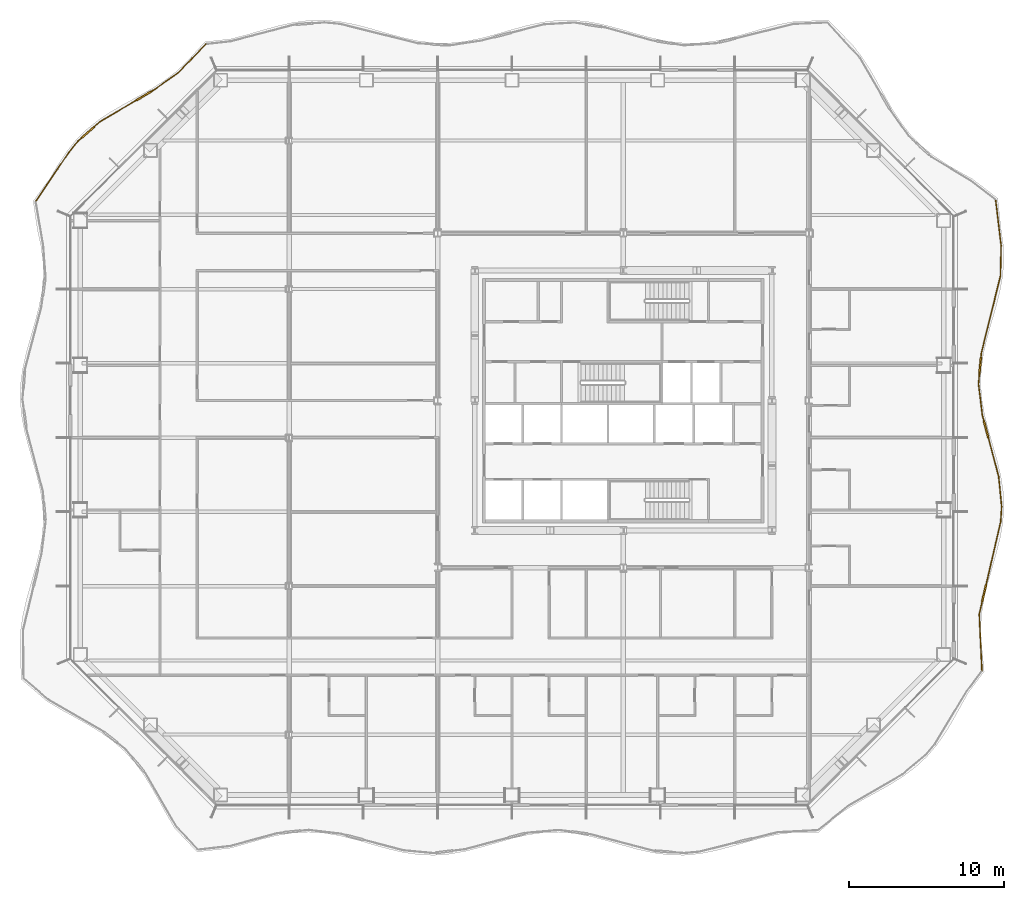
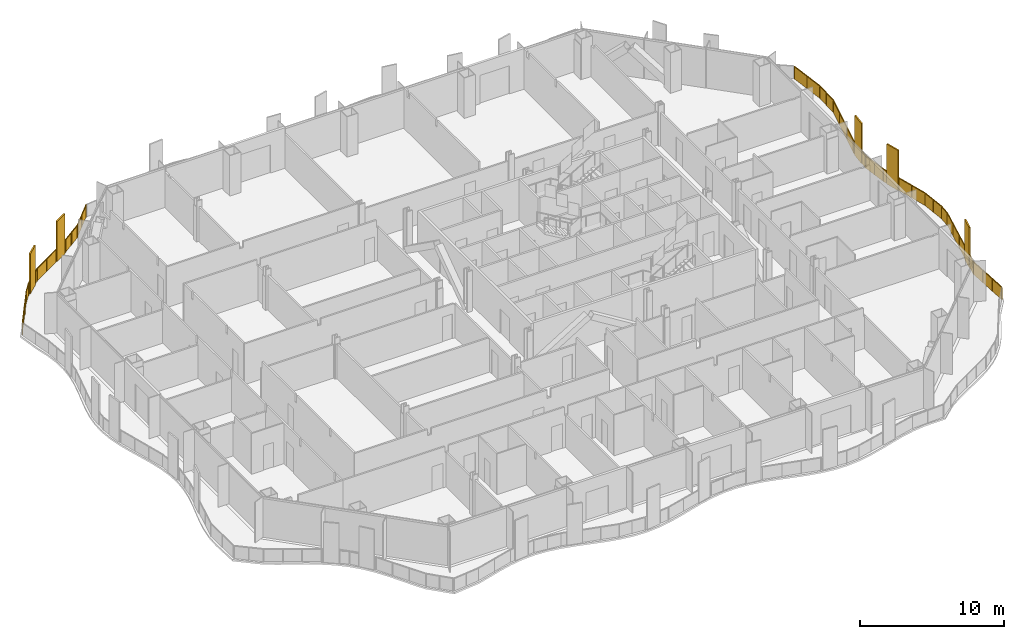
# One storey, part 18 of 20: 2 railings.
"""IFC4 building model written with IfcOpenShell, lengths in metres."""

from ifc_helpers import new_model, si_unit, direction, frame, origin, origin_2d, place, context, subcontext, project, spatial, polyline, rectangle, outline, extrude, material, type_object, element, save


model = new_model("IFC4")

# Units and contexts
model_context = context("Model", 3, precision=1e-05, world=origin(), true_north=direction((0.0, 1.0)))
body_context = subcontext(model_context, "Body", "Model", "MODEL_VIEW")
ifc_project = project(units=[si_unit("LENGTHUNIT", "METRE"), si_unit("AREAUNIT", "SQUARE_METRE"), si_unit("VOLUMEUNIT", "CUBIC_METRE"), si_unit("PLANEANGLEUNIT", "RADIAN"), si_unit("MASSUNIT", "GRAM", prefix="KILO")], contexts=[model_context])

# Site, building, storey
site_placement = place(None, origin())
site = spatial("IfcSite", under=ifc_project, at=site_placement, CompositionType="ELEMENT")
building_placement = place(site_placement, origin())
building = spatial("IfcBuilding", under=site, at=building_placement, Name="Cairn Pilgrim Tower", CompositionType="ELEMENT")
storey_placement = place(building_placement, frame((0.0, 0.0, 83.39990234375)))
storey = spatial("IfcBuildingStorey", under=building, at=storey_placement, Name="L19", CompositionType="ELEMENT", Elevation=83.39990234375)

# Railings
ifc_material = material(Name="Bronze anodised aluminium rail, posts and fin screens with laminated glass infill", Category="aluminium")
railing_type = type_object("IfcRailingType", Name="BALCONY GUARD WITH FIN SCREENS", PredefinedType="GUARDRAIL", material=ifc_material)
railing_1_placement = place(storey_placement, frame((30.372314453125, -15.0673828125, 0.0)))
element("IfcRailing", 1, at=railing_1_placement, inside=storey, type_object=railing_type, Name="Balcony guard BGF-3 with fin screens", PredefinedType="GUARDRAIL", context=body_context, shape_type="SweptSolid", body=[
    extrude(rectangle(XDim=0.050048828125, YDim=0.050048828125, at=origin_2d()), frame((0.0, 0.0, 1.0751953125), z_axis=(-0.046637651631, 0.998911872715, 0.0), x_axis=(-0.998911872715, -0.046637651631, 0.0)), (0.0, 0.0, 1.0), 3.664306640625),
    extrude(rectangle(XDim=1.10009765625, YDim=0.110107421875, at=origin_2d()), frame((0.142333984375, 5.01220703125, 0.0), z_axis=(0.0, 0.0, 1.0), x_axis=(0.225721088106, 0.974191967932, 0.0)), (0.0, 0.0, 1.0), 3.39990234375),
    extrude(rectangle(XDim=0.050048828125, YDim=0.050048828125, at=origin_2d()), frame((-0.1708984375, 3.660400390625, 1.0751953125), z_axis=(0.225721088106, 0.974191967932, 0.0), x_axis=(-0.974191967932, 0.225721088106, 0.0)), (0.0, 0.0, 1.0), 0.83740234375),
    extrude(rectangle(XDim=0.050048828125, YDim=0.050048828125, at=origin_2d()), frame((0.266357421875, 5.5478515625, 1.0751953125), z_axis=(0.225721088106, 0.974191967932, 0.0), x_axis=(-0.974191967932, 0.225721088106, 0.0)), (0.0, 0.0, 1.0), 4.1875),
    extrude(rectangle(XDim=0.050048828125, YDim=0.050048828125, at=origin_2d()), frame((1.211669921875, 9.62744140625, 1.0751953125), z_axis=(0.066902955289, 0.997759487338, 0.0), x_axis=(-0.997759487338, 0.066902955289, 0.0)), (0.0, 0.0, 1.0), 0.970703125),
    extrude(rectangle(XDim=0.050048828125, YDim=0.050048828125, at=origin_2d()), frame((1.276611328125, 10.595947265625, 1.0751953125), z_axis=(-0.098939727344, 0.995093427952, 0.0), x_axis=(-0.995093427952, -0.098939727344, 0.0)), (0.0, 0.0, 1.0), 1.9716796875),
    extrude(rectangle(XDim=1.10009765625, YDim=0.110107421875, at=origin_2d()), frame((0.268798828125, 15.6220703125, 0.0), z_axis=(0.0, 0.0, 1.0), x_axis=(-0.256397304119, 0.966571478185, 0.0)), (0.0, 0.0, 1.0), 3.39990234375),
    extrude(rectangle(XDim=0.050048828125, YDim=0.050048828125, at=origin_2d()), frame((1.08154296875, 12.557861328125, 1.0751953125), z_axis=(-0.256397304119, 0.966571478185, 0.0), x_axis=(-0.966571478185, -0.256397304119, 0.0)), (0.0, 0.0, 1.0), 2.6201171875),
    extrude(rectangle(XDim=0.050048828125, YDim=0.050048828125, at=origin_2d()), frame((0.127685546875, 16.153564453125, 1.0751953125), z_axis=(-0.256397304119, 0.966571478185, 0.0), x_axis=(-0.966571478185, -0.256397304119, 0.0)), (0.0, 0.0, 1.0), 0.3876953125),
    extrude(rectangle(XDim=0.050048828125, YDim=0.050048828125, at=origin_2d()), frame((0.0283203125, 16.5283203125, 1.0751953125), z_axis=(-0.123382839016, 0.992359146195, 0.0), x_axis=(-0.992359146195, -0.123382839016, 0.0)), (0.0, 0.0, 1.0), 2.028076171875),
    extrude(rectangle(XDim=1.10009765625, YDim=0.110107421875, at=origin_2d()), frame((-0.11279296875, 19.707275390625, 0.0), z_axis=(0.0, 0.0, 1.0), x_axis=(0.093191129914, 0.995648237735, 0.0)), (0.0, 0.0, 1.0), 3.39990234375),
    extrude(rectangle(XDim=0.050048828125, YDim=0.050048828125, at=origin_2d()), frame((-0.221923828125, 18.541015625, 1.0751953125), z_axis=(0.093191129914, 0.995648237735, 0.0), x_axis=(-0.995648237735, 0.093191129914, 0.0)), (0.0, 0.0, 1.0), 0.621337890625),
    extrude(rectangle(XDim=0.050048828125, YDim=0.050048828125, at=origin_2d()), frame((-0.0615234375, 20.2548828125, 1.0751953125), z_axis=(0.093191129914, 0.995648237735, 0.0), x_axis=(-0.995648237735, 0.093191129914, 0.0)), (0.0, 0.0, 1.0), 0.301025390625),
    extrude(rectangle(XDim=0.050048828125, YDim=0.050048828125, at=origin_2d()), frame((-0.033447265625, 20.5546875, 1.0751953125), z_axis=(0.240725469526, 0.970593245557, 0.0), x_axis=(-0.970593245557, 0.240725469526, 0.0)), (0.0, 0.0, 1.0), 5.110595703125),
    extrude(rectangle(XDim=0.050048828125, YDim=0.050048828125, at=origin_2d()), frame((1.19677734375, 25.514892578125, 1.0751953125), z_axis=(0.022925179682, 0.999737183532, 0.0), x_axis=(-0.999737183532, 0.022925179682, 0.0)), (0.0, 0.0, 1.0), 1.95947265625),
    extrude(rectangle(XDim=0.050048828125, YDim=0.050048828125, at=origin_2d()), frame((1.24169921875, 27.473876953125, 1.0751953125), z_axis=(-0.11918438469, 0.992872138015, 0.0), x_axis=(-0.992872138015, -0.11918438469, 0.0)), (0.0, 0.0, 1.0), 2.94970703125),
    extrude(rectangle(XDim=0.050048828125, YDim=0.050048828125, at=origin_2d()), origin(), (0.0, 0.0, 1.0), 1.050048828125),
    extrude(rectangle(XDim=0.050048828125, YDim=0.050048828125, at=origin_2d()), frame((-0.056884765625, 1.22021484375, 0.0)), (0.0, 0.0, 1.0), 1.050048828125),
    extrude(rectangle(XDim=0.050048828125, YDim=0.050048828125, at=origin_2d()), frame((-0.114013671875, 2.440185546875, 0.0)), (0.0, 0.0, 1.0), 1.050048828125),
    extrude(rectangle(XDim=0.050048828125, YDim=0.050048828125, at=origin_2d()), frame((-0.1708984375, 3.660400390625, 0.0)), (0.0, 0.0, 1.0), 1.050048828125),
    extrude(rectangle(XDim=0.050048828125, YDim=0.050048828125, at=origin_2d()), frame((0.012451171875, 4.451904296875, 0.0)), (0.0, 0.0, 1.0), 1.050048828125),
    extrude(rectangle(XDim=0.050048828125, YDim=0.050048828125, at=origin_2d()), frame((0.27197265625, 5.572265625, 0.0)), (0.0, 0.0, 1.0), 1.050048828125),
    extrude(rectangle(XDim=0.050048828125, YDim=0.050048828125, at=origin_2d()), frame((0.585205078125, 6.924072265625, 0.0)), (0.0, 0.0, 1.0), 1.050048828125),
    extrude(rectangle(XDim=0.050048828125, YDim=0.050048828125, at=origin_2d()), frame((0.8984375, 8.275634765625, 0.0)), (0.0, 0.0, 1.0), 1.050048828125),
    extrude(rectangle(XDim=0.050048828125, YDim=0.050048828125, at=origin_2d()), frame((1.211669921875, 9.62744140625, 0.0)), (0.0, 0.0, 1.0), 1.050048828125),
    extrude(rectangle(XDim=0.050048828125, YDim=0.050048828125, at=origin_2d()), frame((1.276611328125, 10.595947265625, 0.0)), (0.0, 0.0, 1.0), 1.050048828125),
    extrude(rectangle(XDim=0.050048828125, YDim=0.050048828125, at=origin_2d()), frame((1.17919921875, 11.576904296875, 0.0)), (0.0, 0.0, 1.0), 1.050048828125),
    extrude(rectangle(XDim=0.050048828125, YDim=0.050048828125, at=origin_2d()), frame((1.08154296875, 12.557861328125, 0.0)), (0.0, 0.0, 1.0), 1.050048828125),
    extrude(rectangle(XDim=0.050048828125, YDim=0.050048828125, at=origin_2d()), frame((0.748779296875, 13.81201171875, 0.0)), (0.0, 0.0, 1.0), 1.050048828125),
    extrude(rectangle(XDim=0.050048828125, YDim=0.050048828125, at=origin_2d()), frame((0.416259765625, 15.066162109375, 0.0)), (0.0, 0.0, 1.0), 1.050048828125),
    extrude(rectangle(XDim=0.050048828125, YDim=0.050048828125, at=origin_2d()), frame((0.121337890625, 16.177734375, 0.0)), (0.0, 0.0, 1.0), 1.050048828125),
    extrude(rectangle(XDim=0.050048828125, YDim=0.050048828125, at=origin_2d()), frame((0.0283203125, 16.5283203125, 0.0)), (0.0, 0.0, 1.0), 1.050048828125),
    extrude(rectangle(XDim=0.050048828125, YDim=0.050048828125, at=origin_2d()), frame((-0.0966796875, 17.53466796875, 0.0)), (0.0, 0.0, 1.0), 1.050048828125),
    extrude(rectangle(XDim=0.050048828125, YDim=0.050048828125, at=origin_2d()), frame((-0.221923828125, 18.541015625, 0.0)), (0.0, 0.0, 1.0), 1.050048828125),
    extrude(rectangle(XDim=0.050048828125, YDim=0.050048828125, at=origin_2d()), frame((-0.166259765625, 19.134765625, 0.0)), (0.0, 0.0, 1.0), 1.050048828125),
    extrude(rectangle(XDim=0.050048828125, YDim=0.050048828125, at=origin_2d()), frame((-0.05908203125, 20.27978515625, 0.0)), (0.0, 0.0, 1.0), 1.050048828125),
    extrude(rectangle(XDim=0.050048828125, YDim=0.050048828125, at=origin_2d()), frame((-0.033447265625, 20.5546875, 0.0)), (0.0, 0.0, 1.0), 1.050048828125),
    extrude(rectangle(XDim=0.050048828125, YDim=0.050048828125, at=origin_2d()), frame((0.376708984375, 22.2080078125, 0.0)), (0.0, 0.0, 1.0), 1.050048828125),
    extrude(rectangle(XDim=0.050048828125, YDim=0.050048828125, at=origin_2d()), frame((0.78662109375, 23.861572265625, 0.0)), (0.0, 0.0, 1.0), 1.050048828125),
    extrude(rectangle(XDim=0.050048828125, YDim=0.050048828125, at=origin_2d()), frame((1.19677734375, 25.514892578125, 0.0)), (0.0, 0.0, 1.0), 1.050048828125),
    extrude(rectangle(XDim=0.050048828125, YDim=0.050048828125, at=origin_2d()), frame((1.21923828125, 26.494384765625, 0.0)), (0.0, 0.0, 1.0), 1.050048828125),
    extrude(rectangle(XDim=0.050048828125, YDim=0.050048828125, at=origin_2d()), frame((1.24169921875, 27.473876953125, 0.0)), (0.0, 0.0, 1.0), 1.050048828125),
    extrude(rectangle(XDim=0.050048828125, YDim=0.050048828125, at=origin_2d()), frame((1.06591796875, 28.938232421875, 0.0)), (0.0, 0.0, 1.0), 1.050048828125),
    extrude(rectangle(XDim=0.050048828125, YDim=0.050048828125, at=origin_2d()), frame((0.89013671875, 30.402587890625, 0.0)), (0.0, 0.0, 1.0), 1.050048828125),
    extrude(outline(polyline([(0.02490234375, 0.0), (1.196533203125, 0.0), (1.196533203125, 1.050048828125), (0.02490234375, 1.050048828125), (0.02490234375, 0.0)])), frame((-0.005859375, -0.000244140625, 0.0), z_axis=(0.998911872715, 0.046637651631, 0.0), x_axis=(-0.046637651631, 0.998911872715, 0.0)), (0.0, 0.0, 1.0), 0.011962890625),
    extrude(outline(polyline([(0.02490234375, 0.0), (1.196533203125, 0.0), (1.196533203125, 1.050048828125), (0.02490234375, 1.050048828125), (0.02490234375, 0.0)])), frame((-0.06298828125, 1.219970703125, 0.0), z_axis=(0.998911872715, 0.046637651631, 0.0), x_axis=(-0.046637651631, 0.998911872715, 0.0)), (0.0, 0.0, 1.0), 0.011962890625),
    extrude(outline(polyline([(0.02490234375, 0.0), (1.196533203125, 0.0), (1.196533203125, 1.050048828125), (0.02490234375, 1.050048828125), (0.02490234375, 0.0)])), frame((-0.119873046875, 2.43994140625, 0.0), z_axis=(0.998911872715, 0.046637651631, 0.0), x_axis=(-0.046637651631, 0.998911872715, 0.0)), (0.0, 0.0, 1.0), 0.011962890625),
    extrude(outline(polyline([(0.02490234375, 0.0), (0.787353515625, 0.0), (0.787353515625, 1.050048828125), (0.02490234375, 1.050048828125), (0.02490234375, 0.0)])), frame((-0.1767578125, 3.661865234375, 0.0), z_axis=(0.974191967932, -0.225721088106, 0.0), x_axis=(0.225721088106, 0.974191967932, 0.0)), (0.0, 0.0, 1.0), 0.011962890625),
    extrude(outline(polyline([(0.02490234375, 0.0), (1.362548828125, 0.0), (1.362548828125, 1.050048828125), (0.02490234375, 1.050048828125), (0.02490234375, 0.0)])), frame((0.266357421875, 5.57373046875, 0.0), z_axis=(0.974191967932, -0.225721088106, 0.0), x_axis=(0.225721088106, 0.974191967932, 0.0)), (0.0, 0.0, 1.0), 0.011962890625),
    extrude(outline(polyline([(0.02490234375, 0.0), (1.362548828125, 0.0), (1.362548828125, 1.050048828125), (0.02490234375, 1.050048828125), (0.02490234375, 0.0)])), frame((0.579345703125, 6.92529296875, 0.0), z_axis=(0.974191967932, -0.225721088106, 0.0), x_axis=(0.225721088106, 0.974191967932, 0.0)), (0.0, 0.0, 1.0), 0.011962890625),
    extrude(outline(polyline([(0.02490234375, 0.0), (1.362548828125, 0.0), (1.362548828125, 1.050048828125), (0.02490234375, 1.050048828125), (0.02490234375, 0.0)])), frame((0.892578125, 8.277099609375, 0.0), z_axis=(0.974191967932, -0.225721088106, 0.0), x_axis=(0.225721088106, 0.974191967932, 0.0)), (0.0, 0.0, 1.0), 0.011962890625),
    extrude(outline(polyline([(0.02490234375, 0.0), (0.945556640625, 0.0), (0.945556640625, 1.050048828125), (0.02490234375, 1.050048828125), (0.02490234375, 0.0)])), frame((1.205810546875, 9.6279296875, 0.0), z_axis=(0.997759487338, -0.066902955289, 0.0), x_axis=(0.066902955289, 0.997759487338, 0.0)), (0.0, 0.0, 1.0), 0.011962890625),
    extrude(outline(polyline([(0.02490234375, 0.0), (0.960693359375, 0.0), (0.960693359375, 1.050048828125), (0.02490234375, 1.050048828125), (0.02490234375, 0.0)])), frame((1.270751953125, 10.595458984375, 0.0), z_axis=(0.995093427952, 0.098939727344, 0.0), x_axis=(-0.098939727344, 0.995093427952, 0.0)), (0.0, 0.0, 1.0), 0.011962890625),
    extrude(outline(polyline([(0.02490234375, 0.0), (0.960693359375, 0.0), (0.960693359375, 1.050048828125), (0.02490234375, 1.050048828125), (0.02490234375, 0.0)])), frame((1.173095703125, 11.576416015625, 0.0), z_axis=(0.995093427952, 0.098939727344, 0.0), x_axis=(-0.098939727344, 0.995093427952, 0.0)), (0.0, 0.0, 1.0), 0.011962890625),
    extrude(outline(polyline([(0.02490234375, 0.0), (1.2724609375, 0.0), (1.2724609375, 1.050048828125), (0.02490234375, 1.050048828125), (0.02490234375, 0.0)])), frame((1.07568359375, 12.556396484375, 0.0), z_axis=(0.966571478185, 0.256397304119, 0.0), x_axis=(-0.256397304119, 0.966571478185, 0.0)), (0.0, 0.0, 1.0), 0.011962890625),
    extrude(outline(polyline([(0.02490234375, 0.0), (1.2724609375, 0.0), (1.2724609375, 1.050048828125), (0.02490234375, 1.050048828125), (0.02490234375, 0.0)])), frame((0.7431640625, 13.810546875, 0.0), z_axis=(0.966571478185, 0.256397304119, 0.0), x_axis=(-0.256397304119, 0.966571478185, 0.0)), (0.0, 0.0, 1.0), 0.011962890625),
    extrude(outline(polyline([(0.02490234375, 0.0), (0.337646484375, 0.0), (0.337646484375, 1.050048828125), (0.02490234375, 1.050048828125), (0.02490234375, 0.0)])), frame((0.115478515625, 16.17626953125, 0.0), z_axis=(0.966571478185, 0.256397304119, 0.0), x_axis=(-0.256397304119, 0.966571478185, 0.0)), (0.0, 0.0, 1.0), 0.011962890625),
    extrude(outline(polyline([(0.02490234375, 0.0), (0.989013671875, 0.0), (0.989013671875, 1.050048828125), (0.02490234375, 1.050048828125), (0.02490234375, 0.0)])), frame((0.0224609375, 16.527587890625, 0.0), z_axis=(0.992359146195, 0.123382839016, 0.0), x_axis=(-0.123382839016, 0.992359146195, 0.0)), (0.0, 0.0, 1.0), 0.011962890625),
    extrude(outline(polyline([(0.02490234375, 0.0), (0.989013671875, 0.0), (0.989013671875, 1.050048828125), (0.02490234375, 1.050048828125), (0.02490234375, 0.0)])), frame((-0.102783203125, 17.533935546875, 0.0), z_axis=(0.992359146195, 0.123382839016, 0.0), x_axis=(-0.123382839016, 0.992359146195, 0.0)), (0.0, 0.0, 1.0), 0.011962890625),
    extrude(outline(polyline([(0.02490234375, 0.0), (0.5712890625, 0.0), (0.5712890625, 1.050048828125), (0.02490234375, 1.050048828125), (0.02490234375, 0.0)])), frame((-0.227783203125, 18.54150390625, 0.0), z_axis=(0.995648237735, -0.093191129914, 0.0), x_axis=(0.093191129914, 0.995648237735, 0.0)), (0.0, 0.0, 1.0), 0.011962890625),
    extrude(outline(polyline([(0.02490234375, 0.0), (0.2509765625, 0.0), (0.2509765625, 1.050048828125), (0.02490234375, 1.050048828125), (0.02490234375, 0.0)])), frame((-0.065185546875, 20.280517578125, 0.0), z_axis=(0.995648237735, -0.093191129914, 0.0), x_axis=(0.093191129914, 0.995648237735, 0.0)), (0.0, 0.0, 1.0), 0.011962890625),
    extrude(outline(polyline([(0.02490234375, 0.0), (1.678466796875, 0.0), (1.678466796875, 1.050048828125), (0.02490234375, 1.050048828125), (0.02490234375, 0.0)])), frame((-0.039306640625, 20.55615234375, 0.0), z_axis=(0.970593245557, -0.240725469526, 0.0), x_axis=(0.240725469526, 0.970593245557, 0.0)), (0.0, 0.0, 1.0), 0.011962890625),
    extrude(outline(polyline([(0.02490234375, 0.0), (1.678466796875, 0.0), (1.678466796875, 1.050048828125), (0.02490234375, 1.050048828125), (0.02490234375, 0.0)])), frame((0.370849609375, 22.20947265625, 0.0), z_axis=(0.970593245557, -0.240725469526, 0.0), x_axis=(0.240725469526, 0.970593245557, 0.0)), (0.0, 0.0, 1.0), 0.011962890625),
    extrude(outline(polyline([(0.02490234375, 0.0), (1.678466796875, 0.0), (1.678466796875, 1.050048828125), (0.02490234375, 1.050048828125), (0.02490234375, 0.0)])), frame((0.781005859375, 23.863037109375, 0.0), z_axis=(0.970593245557, -0.240725469526, 0.0), x_axis=(0.240725469526, 0.970593245557, 0.0)), (0.0, 0.0, 1.0), 0.011962890625),
    extrude(outline(polyline([(0.02490234375, 0.0), (0.954833984375, 0.0), (0.954833984375, 1.050048828125), (0.02490234375, 1.050048828125), (0.02490234375, 0.0)])), frame((1.19091796875, 25.51513671875, 0.0), z_axis=(0.999737183532, -0.022925179682, 0.0), x_axis=(0.022925179682, 0.999737183532, 0.0)), (0.0, 0.0, 1.0), 0.011962890625),
    extrude(outline(polyline([(0.02490234375, 0.0), (0.954833984375, 0.0), (0.954833984375, 1.050048828125), (0.02490234375, 1.050048828125), (0.02490234375, 0.0)])), frame((1.21337890625, 26.49462890625, 0.0), z_axis=(0.999737183532, -0.022925179682, 0.0), x_axis=(0.022925179682, 0.999737183532, 0.0)), (0.0, 0.0, 1.0), 0.011962890625),
    extrude(outline(polyline([(0.02490234375, 0.0), (1.449951171875, 0.0), (1.449951171875, 1.050048828125), (0.02490234375, 1.050048828125), (0.02490234375, 0.0)])), frame((1.23583984375, 27.47314453125, 0.0), z_axis=(0.992872138015, 0.11918438469, 0.0), x_axis=(-0.11918438469, 0.992872138015, 0.0)), (0.0, 0.0, 1.0), 0.011962890625),
    extrude(outline(polyline([(0.02490234375, 0.0), (1.449951171875, 0.0), (1.449951171875, 1.050048828125), (0.02490234375, 1.050048828125), (0.02490234375, 0.0)])), frame((1.06005859375, 28.9375, 0.0), z_axis=(0.992872138015, 0.11918438469, 0.0), x_axis=(-0.11918438469, 0.992872138015, 0.0)), (0.0, 0.0, 1.0), 0.011962890625),
])
railing_2_placement = place(storey_placement, frame((-19.786865234375, 25.4453125, 0.0)))
element("IfcRailing", 2, at=railing_2_placement, inside=storey, type_object=railing_type, Name="Balcony guard BGF-6 with fin screens", PredefinedType="GUARDRAIL", context=body_context, shape_type="SweptSolid", body=[
    extrude(rectangle(XDim=0.050048828125, YDim=0.050048828125, at=origin_2d()), frame((0.0, 0.0, 1.0751953125), z_axis=(-0.69040538626, -0.723422699826, 0.0), x_axis=(0.723422699826, -0.69040538626, 0.0)), (0.0, 0.0, 1.0), 2.558349609375),
    extrude(rectangle(XDim=0.050048828125, YDim=0.050048828125, at=origin_2d()), frame((-1.766357421875, -1.850830078125, 1.0751953125), z_axis=(-0.818169856103, -0.574976596536, 0.0), x_axis=(0.574976596536, -0.818169856103, 0.0)), (0.0, 0.0, 1.0), 1.98974609375),
    extrude(rectangle(XDim=1.10009765625, YDim=0.110107421875, at=origin_2d()), frame((-3.997802734375, -3.34912109375, 0.0), z_axis=(0.0, 0.0, 1.0), x_axis=(-0.862360743069, -0.50629433022, 0.0)), (0.0, 0.0, 1.0), 3.39990234375),
    extrude(rectangle(XDim=0.050048828125, YDim=0.050048828125, at=origin_2d()), frame((-3.394287109375, -2.994873046875, 1.0751953125), z_axis=(-0.862360743069, -0.50629433022, 0.0), x_axis=(0.50629433022, -0.862360743069, 0.0)), (0.0, 0.0, 1.0), 0.14990234375),
    extrude(rectangle(XDim=0.050048828125, YDim=0.050048828125, at=origin_2d()), frame((-4.47216796875, -3.627685546875, 1.0751953125), z_axis=(-0.862360743069, -0.50629433022, 0.0), x_axis=(0.50629433022, -0.862360743069, 0.0)), (0.0, 0.0, 1.0), 2.74951171875),
    extrude(rectangle(XDim=1.10009765625, YDim=0.110107421875, at=origin_2d()), frame((-7.635009765625, -5.724365234375, 0.0), z_axis=(0.0, 0.0, 1.0), x_axis=(-0.747071717634, -0.664743445783, 0.0)), (0.0, 0.0, 1.0), 3.39990234375),
    extrude(rectangle(XDim=0.050048828125, YDim=0.050048828125, at=origin_2d()), frame((-6.84326171875, -5.019775390625, 1.0751953125), z_axis=(-0.747071717634, -0.664743445783, 0.0), x_axis=(0.664743445783, -0.747071717634, 0.0)), (0.0, 0.0, 1.0), 0.509765625),
    extrude(rectangle(XDim=0.050048828125, YDim=0.050048828125, at=origin_2d()), frame((-8.0458984375, -6.08984375, 1.0751953125), z_axis=(-0.747071717634, -0.664743445783, 0.0), x_axis=(0.664743445783, -0.747071717634, 0.0)), (0.0, 0.0, 1.0), 0.305908203125),
    extrude(rectangle(XDim=0.050048828125, YDim=0.050048828125, at=origin_2d()), frame((-8.2744140625, -6.293212890625, 1.0751953125), z_axis=(-0.629198228668, -0.777244870707, 0.0), x_axis=(0.777244870707, -0.629198228668, 0.0)), (0.0, 0.0, 1.0), 0.95654296875),
    extrude(rectangle(XDim=0.050048828125, YDim=0.050048828125, at=origin_2d()), frame((-8.876220703125, -7.03662109375, 1.0751953125), z_axis=(-0.560419878918, -0.828208644795, 0.0), x_axis=(0.828208644795, -0.560419878918, 0.0)), (0.0, 0.0, 1.0), 3.744384765625),
    extrude(rectangle(XDim=0.050048828125, YDim=0.050048828125, at=origin_2d()), origin(), (0.0, 0.0, 1.0), 1.050048828125),
    extrude(rectangle(XDim=0.050048828125, YDim=0.050048828125, at=origin_2d()), frame((-0.88330078125, -0.92529296875, 0.0)), (0.0, 0.0, 1.0), 1.050048828125),
    extrude(rectangle(XDim=0.050048828125, YDim=0.050048828125, at=origin_2d()), frame((-1.766357421875, -1.850830078125, 0.0)), (0.0, 0.0, 1.0), 1.050048828125),
    extrude(rectangle(XDim=0.050048828125, YDim=0.050048828125, at=origin_2d()), frame((-2.580322265625, -2.4228515625, 0.0)), (0.0, 0.0, 1.0), 1.050048828125),
    extrude(rectangle(XDim=0.050048828125, YDim=0.050048828125, at=origin_2d()), frame((-3.394287109375, -2.994873046875, 0.0)), (0.0, 0.0, 1.0), 1.050048828125),
    extrude(rectangle(XDim=0.050048828125, YDim=0.050048828125, at=origin_2d()), frame((-3.501953125, -3.05810546875, 0.0)), (0.0, 0.0, 1.0), 1.050048828125),
    extrude(rectangle(XDim=0.050048828125, YDim=0.050048828125, at=origin_2d()), frame((-4.49365234375, -3.640380859375, 0.0)), (0.0, 0.0, 1.0), 1.050048828125),
    extrude(rectangle(XDim=0.050048828125, YDim=0.050048828125, at=origin_2d()), frame((-5.66845703125, -4.330078125, 0.0)), (0.0, 0.0, 1.0), 1.050048828125),
    extrude(rectangle(XDim=0.050048828125, YDim=0.050048828125, at=origin_2d()), frame((-6.84326171875, -5.019775390625, 0.0)), (0.0, 0.0, 1.0), 1.050048828125),
    extrude(rectangle(XDim=0.050048828125, YDim=0.050048828125, at=origin_2d()), frame((-7.205322265625, -5.342041015625, 0.0)), (0.0, 0.0, 1.0), 1.050048828125),
    extrude(rectangle(XDim=0.050048828125, YDim=0.050048828125, at=origin_2d()), frame((-8.064697265625, -6.1064453125, 0.0)), (0.0, 0.0, 1.0), 1.050048828125),
    extrude(rectangle(XDim=0.050048828125, YDim=0.050048828125, at=origin_2d()), frame((-8.2744140625, -6.293212890625, 0.0)), (0.0, 0.0, 1.0), 1.050048828125),
    extrude(rectangle(XDim=0.050048828125, YDim=0.050048828125, at=origin_2d()), frame((-8.876220703125, -7.03662109375, 0.0)), (0.0, 0.0, 1.0), 1.050048828125),
    extrude(rectangle(XDim=0.050048828125, YDim=0.050048828125, at=origin_2d()), frame((-9.57568359375, -8.0703125, 0.0)), (0.0, 0.0, 1.0), 1.050048828125),
    extrude(rectangle(XDim=0.050048828125, YDim=0.050048828125, at=origin_2d()), frame((-10.275146484375, -9.10400390625, 0.0)), (0.0, 0.0, 1.0), 1.050048828125),
    extrude(rectangle(XDim=0.050048828125, YDim=0.050048828125, at=origin_2d()), frame((-10.974609375, -10.1376953125, 0.0)), (0.0, 0.0, 1.0), 1.050048828125),
    extrude(outline(polyline([(0.02490234375, 0.0), (1.254150390625, 0.0), (1.254150390625, 1.050048828125), (0.02490234375, 1.050048828125), (0.02490234375, 0.0)])), frame((0.00439453125, -0.004150390625, 0.0), z_axis=(-0.723422699826, 0.69040538626, 0.0), x_axis=(-0.69040538626, -0.723422699826, 0.0)), (0.0, 0.0, 1.0), 0.011962890625),
    extrude(outline(polyline([(0.02490234375, 0.0), (1.254150390625, 0.0), (1.254150390625, 1.050048828125), (0.02490234375, 1.050048828125), (0.02490234375, 0.0)])), frame((-0.87890625, -0.929443359375, 0.0), z_axis=(-0.723422699826, 0.69040538626, 0.0), x_axis=(-0.69040538626, -0.723422699826, 0.0)), (0.0, 0.0, 1.0), 0.011962890625),
    extrude(outline(polyline([(0.02490234375, 0.0), (0.9697265625, 0.0), (0.9697265625, 1.050048828125), (0.02490234375, 1.050048828125), (0.02490234375, 0.0)])), frame((-1.762939453125, -1.855712890625, 0.0), z_axis=(-0.574976596536, 0.818169856103, 0.0), x_axis=(-0.818169856103, -0.574976596536, 0.0)), (0.0, 0.0, 1.0), 0.011962890625),
    extrude(outline(polyline([(0.02490234375, 0.0), (0.9697265625, 0.0), (0.9697265625, 1.050048828125), (0.02490234375, 1.050048828125), (0.02490234375, 0.0)])), frame((-2.576904296875, -2.427734375, 0.0), z_axis=(-0.574976596536, 0.818169856103, 0.0), x_axis=(-0.818169856103, -0.574976596536, 0.0)), (0.0, 0.0, 1.0), 0.011962890625),
    extrude(outline(polyline([(0.02490234375, 0.0), (0.099853515625, 0.0), (0.099853515625, 1.050048828125), (0.02490234375, 1.050048828125), (0.02490234375, 0.0)])), frame((-3.391357421875, -3.0, 0.0), z_axis=(-0.50629433022, 0.862360743069, 0.0), x_axis=(-0.862360743069, -0.50629433022, 0.0)), (0.0, 0.0, 1.0), 0.011962890625),
    extrude(outline(polyline([(0.02490234375, 0.0), (1.337158203125, 0.0), (1.337158203125, 1.050048828125), (0.02490234375, 1.050048828125), (0.02490234375, 0.0)])), frame((-4.49072265625, -3.6455078125, 0.0), z_axis=(-0.50629433022, 0.862360743069, 0.0), x_axis=(-0.862360743069, -0.50629433022, 0.0)), (0.0, 0.0, 1.0), 0.011962890625),
    extrude(outline(polyline([(0.02490234375, 0.0), (1.337158203125, 0.0), (1.337158203125, 1.050048828125), (0.02490234375, 1.050048828125), (0.02490234375, 0.0)])), frame((-5.66552734375, -4.335205078125, 0.0), z_axis=(-0.50629433022, 0.862360743069, 0.0), x_axis=(-0.862360743069, -0.50629433022, 0.0)), (0.0, 0.0, 1.0), 0.011962890625),
    extrude(outline(polyline([(0.02490234375, 0.0), (0.459716796875, 0.0), (0.459716796875, 1.050048828125), (0.02490234375, 1.050048828125), (0.02490234375, 0.0)])), frame((-6.83935546875, -5.024169921875, 0.0), z_axis=(-0.664743445783, 0.747071717634, 0.0), x_axis=(-0.747071717634, -0.664743445783, 0.0)), (0.0, 0.0, 1.0), 0.011962890625),
    extrude(outline(polyline([(0.02490234375, 0.0), (0.255859375, 0.0), (0.255859375, 1.050048828125), (0.02490234375, 1.050048828125), (0.02490234375, 0.0)])), frame((-8.060546875, -6.111083984375, 0.0), z_axis=(-0.664743445783, 0.747071717634, 0.0), x_axis=(-0.747071717634, -0.664743445783, 0.0)), (0.0, 0.0, 1.0), 0.011962890625),
    extrude(outline(polyline([(0.02490234375, 0.0), (0.931396484375, 0.0), (0.931396484375, 1.050048828125), (0.02490234375, 1.050048828125), (0.02490234375, 0.0)])), frame((-8.269775390625, -6.296875, 0.0), z_axis=(-0.777244870707, 0.629198228668, 0.0), x_axis=(-0.629198228668, -0.777244870707, 0.0)), (0.0, 0.0, 1.0), 0.011962890625),
    extrude(outline(polyline([(0.02490234375, 0.0), (1.22314453125, 0.0), (1.22314453125, 1.050048828125), (0.02490234375, 1.050048828125), (0.02490234375, 0.0)])), frame((-8.871337890625, -7.0400390625, 0.0), z_axis=(-0.828208644795, 0.560419878918, 0.0), x_axis=(-0.560419878918, -0.828208644795, 0.0)), (0.0, 0.0, 1.0), 0.011962890625),
    extrude(outline(polyline([(0.02490234375, 0.0), (1.22314453125, 0.0), (1.22314453125, 1.050048828125), (0.02490234375, 1.050048828125), (0.02490234375, 0.0)])), frame((-9.57080078125, -8.07373046875, 0.0), z_axis=(-0.828208644795, 0.560419878918, 0.0), x_axis=(-0.560419878918, -0.828208644795, 0.0)), (0.0, 0.0, 1.0), 0.011962890625),
    extrude(outline(polyline([(0.02490234375, 0.0), (1.22314453125, 0.0), (1.22314453125, 1.050048828125), (0.02490234375, 1.050048828125), (0.02490234375, 0.0)])), frame((-10.270263671875, -9.107421875, 0.0), z_axis=(-0.828208644795, 0.560419878918, 0.0), x_axis=(-0.560419878918, -0.828208644795, 0.0)), (0.0, 0.0, 1.0), 0.011962890625),
])

save(model, "model.ifc")
